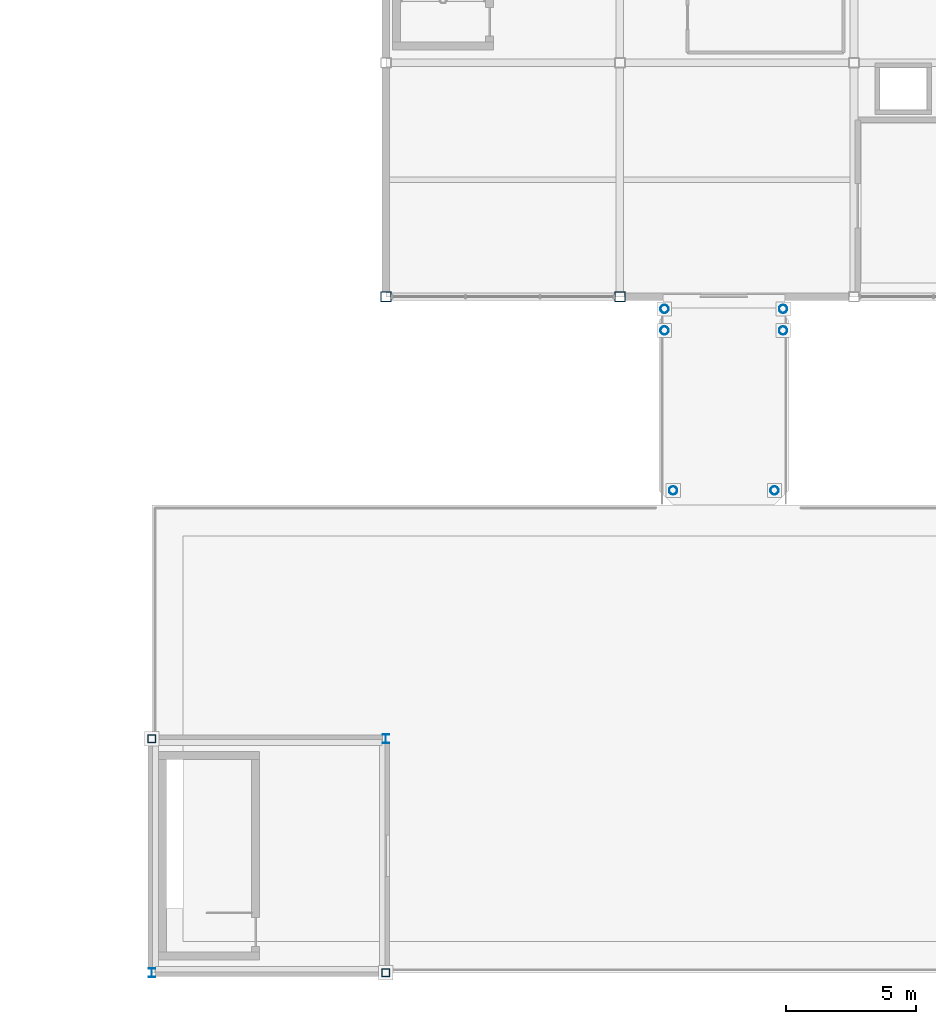
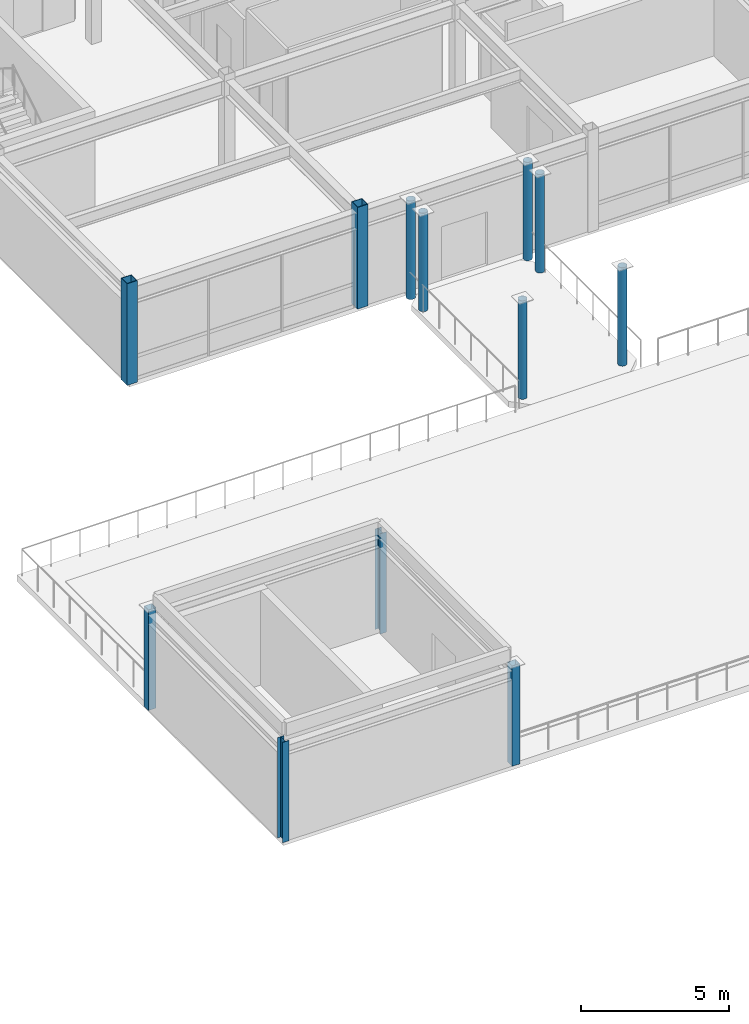
# One storey, part 11 of 53: 12 columns.
"""IFC4 building model written with IfcOpenShell, lengths in metres."""

from ifc_helpers import new_model, si_unit, direction, frame, origin, origin_2d, place, context, subcontext, project, spatial, hollow_rectangle, hollow_circle, i_section, extrude, material, material_profile, profile_set, type_object, element, save


model = new_model("IFC4")

# Units and contexts
model_context = context("Model", 3, precision=1e-05, world=origin(), true_north=direction((0.0, 1.0)))
body_context = subcontext(model_context, "Body", "Model", "MODEL_VIEW")
ifc_project = project(units=[si_unit("LENGTHUNIT", "METRE"), si_unit("AREAUNIT", "SQUARE_METRE"), si_unit("VOLUMEUNIT", "CUBIC_METRE"), si_unit("PLANEANGLEUNIT", "RADIAN"), si_unit("MASSUNIT", "GRAM", prefix="KILO")], contexts=[model_context])

# Site, building, storey
site_placement = place(None, origin())
site = spatial("IfcSite", under=ifc_project, at=site_placement, CompositionType="ELEMENT")
building_placement = place(site_placement, origin())
building = spatial("IfcBuilding", under=site, at=building_placement, Name="Suzunagisa Mobility Hub", CompositionType="ELEMENT")
storey_placement = place(building_placement, frame((0.0, 0.0, 17.699951171875)))
storey = spatial("IfcBuildingStorey", under=building, at=storey_placement, Name="L04", CompositionType="ELEMENT", Elevation=17.699951171875)

# Columns
ifc_material = material(Name="Steel SN490B", Category="steel")
ifc_material_profile_1 = material_profile(ifc_material, i_section(OverallWidth=0.25, OverallDepth=0.340087890625, WebThickness=0.009033203125, FlangeThickness=0.013916015625, FilletRadius=0.010009765625, at=origin_2d()), Name="H-340x250x9x14")
ifc_profile_set_1 = profile_set([ifc_material_profile_1], Name="Steel SN490B")
column_type_1 = type_object("IfcColumnType", Name="Steel Column CL-02 H-340x250x9x14", PredefinedType="COLUMN", material=ifc_profile_set_1)
for number, where, z_axis, x_axis, name in (
    (1, (135.0, 18.0, 0.0), (0.0, 0.0, 1.0), (1.0, 0.0, 0.0), "L04 Column 244"),
    (2, (144.0, 27.0, 0.0), (0.0, 0.0, 1.0), (1.0, 0.0, 0.0), "L04 Column 254"),
):
    element("IfcColumn", number, at=place(storey_placement, frame(where, z_axis=z_axis, x_axis=x_axis)), inside=storey, type_object=column_type_1, Name=name, PredefinedType="COLUMN", context=body_context, shape_type="SweptSolid", body=[
        extrude(i_section(OverallWidth=0.25, OverallDepth=0.340087890625, WebThickness=0.009033203125, FlangeThickness=0.013916015625, FilletRadius=0.010009765625, at=origin_2d()), origin(), (0.0, 0.0, 1.0), 4.14013671875),
    ])
ifc_material_profile_2 = material_profile(ifc_material, hollow_circle(Radius=0.1591796875, WallThickness=0.01025390625, at=origin_2d()), Name="CHS-318.5x10.3")
ifc_profile_set_2 = profile_set([ifc_material_profile_2], Name="Steel SN490B")
column_type_2 = type_object("IfcColumnType", Name="Steel Column CL-09 CHS-318.5x10.3", PredefinedType="COLUMN", material=ifc_profile_set_2)
for number, where, z_axis, x_axis, name in (
    (3, (154.719970703125, 42.699951171875, 0.0), (0.0, 0.0, 1.0), (1.0, 0.0, 0.0), "L04 Column 277"),
    (4, (154.719970703125, 43.530029296875, 0.0), (0.0, 0.0, 1.0), (1.0, 0.0, 0.0), "L04 Column 278"),
    (5, (155.050048828125, 36.550048828125, 0.0), (0.0, 0.0, 1.0), (1.0, 0.0, 0.0), "L04 Column 279"),
    (6, (158.949951171875, 36.550048828125, 0.0), (0.0, 0.0, 1.0), (1.0, 0.0, 0.0), "L04 Column 280"),
    (7, (159.280029296875, 42.699951171875, 0.0), (0.0, 0.0, 1.0), (1.0, 0.0, 0.0), "L04 Column 281"),
    (8, (159.280029296875, 43.530029296875, 0.0), (0.0, 0.0, 1.0), (1.0, 0.0, 0.0), "L04 Column 282"),
):
    element("IfcColumn", number, at=place(storey_placement, frame(where, z_axis=z_axis, x_axis=x_axis)), inside=storey, type_object=column_type_2, Name=name, PredefinedType="COLUMN", context=body_context, shape_type="SweptSolid", body=[
        extrude(hollow_circle(Radius=0.1591796875, WallThickness=0.01025390625, at=origin_2d()), origin(), (0.0, 0.0, 1.0), 4.06005859375),
    ])
ifc_material_profile_3 = material_profile(ifc_material, hollow_rectangle(XDim=0.300048828125, YDim=0.300048828125, WallThickness=0.011962890625, at=origin_2d()), Name="BCR-300x300x12")
ifc_profile_set_3 = profile_set([ifc_material_profile_3], Name="Steel SN490B")
column_type_3 = type_object("IfcColumnType", Name="Steel Column CL-12 BCR-300x300x12", PredefinedType="COLUMN", material=ifc_profile_set_3)
for number, where, z_axis, x_axis, name in (
    (9, (135.0, 27.0, 0.0), (0.0, 0.0, 1.0), (1.0, 0.0, 0.0), "L04 Column 245"),
    (10, (144.0, 18.0, 0.0), (0.0, 0.0, 1.0), (1.0, 0.0, 0.0), "L04 Column 253"),
):
    element("IfcColumn", number, at=place(storey_placement, frame(where, z_axis=z_axis, x_axis=x_axis)), inside=storey, type_object=column_type_3, Name=name, PredefinedType="COLUMN", context=body_context, shape_type="SweptSolid", body=[
        extrude(hollow_rectangle(XDim=0.300048828125, YDim=0.300048828125, WallThickness=0.011962890625, at=origin_2d()), origin(), (0.0, 0.0, 1.0), 4.14013671875),
    ])
ifc_material_profile_4 = material_profile(ifc_material, hollow_rectangle(XDim=0.39990234375, YDim=0.39990234375, WallThickness=0.01904296875, at=origin_2d()), Name="BCR-400x400x19")
ifc_profile_set_4 = profile_set([ifc_material_profile_4], Name="Steel SN490B")
column_type_4 = type_object("IfcColumnType", Name="Steel Column CL-13 BCR-400x400x19", PredefinedType="COLUMN", material=ifc_profile_set_4)
for number, where, z_axis, x_axis, name in (
    (11, (144.0, 44.0, 0.0), (0.0, 0.0, 1.0), (1.0, 0.0, 0.0), "L04 Column 256"),
    (12, (153.0, 44.0, 0.0), (0.0, 0.0, 1.0), (1.0, 0.0, 0.0), "L04 Column 269"),
):
    element("IfcColumn", number, at=place(storey_placement, frame(where, z_axis=z_axis, x_axis=x_axis)), inside=storey, type_object=column_type_4, Name=name, PredefinedType="COLUMN", context=body_context, shape_type="SweptSolid", body=[
        extrude(hollow_rectangle(XDim=0.39990234375, YDim=0.39990234375, WallThickness=0.01904296875, at=origin_2d()), origin(), (0.0, 0.0, 1.0), 4.199951171875),
    ])

save(model, "model.ifc")
